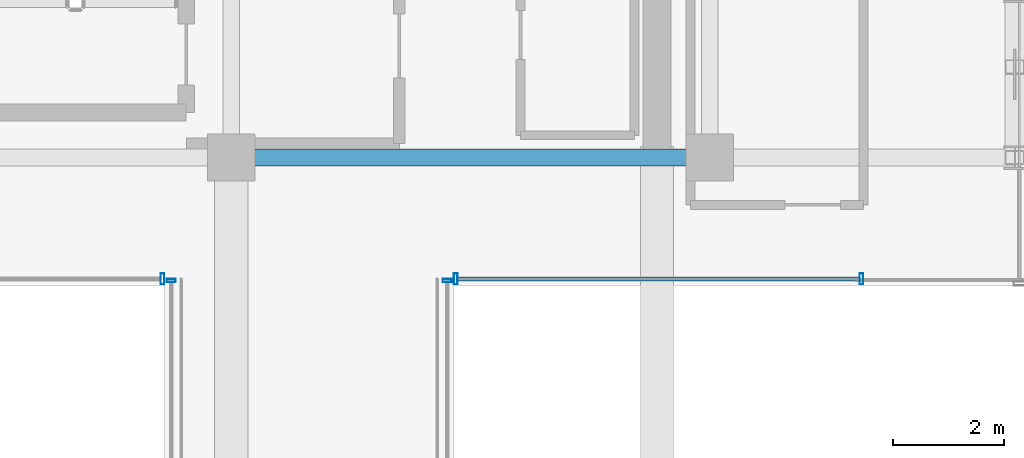
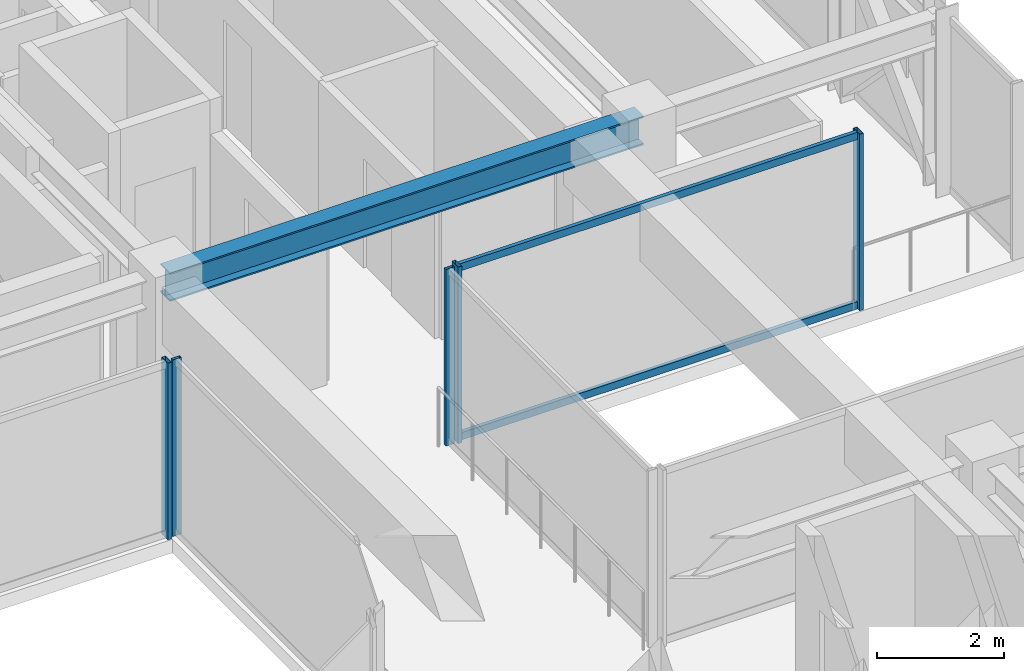
# One storey, part 18 of 37: 7 members, 1 beam, 4 elements without a shape of their own.
"""IFC4 building model written with IfcOpenShell, lengths in metres."""

from ifc_helpers import new_model, si_unit, direction, frame, origin, origin_2d, place, context, subcontext, project, spatial, hollow_rectangle, i_section, extrude, source, transform, mapped, material, material_profile, profile_set, type_object, element, aggregate, save


model = new_model("IFC4")

# Units and contexts
model_context = context("Model", 3, precision=1e-05, world=origin(), true_north=direction((0.0, 1.0)))
body_context = subcontext(model_context, "Body", "Model", "MODEL_VIEW")
ifc_project = project(units=[si_unit("LENGTHUNIT", "METRE"), si_unit("AREAUNIT", "SQUARE_METRE"), si_unit("VOLUMEUNIT", "CUBIC_METRE"), si_unit("PLANEANGLEUNIT", "RADIAN"), si_unit("MASSUNIT", "GRAM", prefix="KILO")], contexts=[model_context])

# Site, building, storey
site_placement = place(None, origin())
site = spatial("IfcSite", under=ifc_project, at=site_placement, CompositionType="ELEMENT")
building_placement = place(site_placement, origin())
building = spatial("IfcBuilding", under=site, at=building_placement, Name="Nahalor Promenade Grand Hotel", CompositionType="ELEMENT")
storey_placement = place(building_placement, frame((0.0, 0.0, 167.25)))
storey = spatial("IfcBuildingStorey", under=building, at=storey_placement, Name="L42", CompositionType="ELEMENT", Elevation=167.25)

# Beam
ifc_material_1 = material(Name="Steel S355JR", Category="steel")
ifc_material_profile_1 = material_profile(ifc_material_1, i_section(OverallWidth=0.3, OverallDepth=0.55, WebThickness=0.015, FlangeThickness=0.029, at=origin_2d()), Name="HEB 550")
ifc_profile_set_1 = profile_set([ifc_material_profile_1], Name="Steel S355JR")
beam_type = type_object("IfcBeamType", Name="Beam-Girder-HEB550", PredefinedType="BEAM", material=ifc_profile_set_1)
shared_shape_1 = source(origin(), body_context, "Body", "SweptSolid", [
    extrude(i_section(OverallWidth=0.3, OverallDepth=0.55, WebThickness=0.015, FlangeThickness=0.029, at=origin_2d()), origin(), (0.0, 0.0, 1.0), 8.60009765625),
])
beam_placement = place(storey_placement, frame((8.39990234375, 5.39990234375, 3.114990234375), z_axis=(1.0, 0.0, 0.0), x_axis=(0.0, 1.0, 0.0)))
element("IfcBeam", 1, at=beam_placement, inside=storey, type_object=beam_type, Name="BM-L42-GX-2-5", PredefinedType="BEAM", context=body_context, shape_type="MappedRepresentation", body=[
    mapped(shared_shape_1, transform((0.0, 0.0, 0.0), scale=1.0)),
])

# Curtain wall, members
ifc_material_2 = material(Name="Anodised Bronze Aluminium EN AW-6063 T6", Category="aluminium")
curtain_wall_type_1 = type_object("IfcCurtainWallType", Name="CW3 Elliptical-Void Collar Unitised Curtain Wall", PredefinedType="USERDEFINED", material=ifc_material_2)
curtain_wall_1_placement = place(storey_placement, origin())
curtain_wall_1 = element("IfcCurtainWall", 2, at=curtain_wall_1_placement, inside=storey, type_object=curtain_wall_type_1, Name="L42 Curtain Wall CW-L42-VOID-EN1", ObjectType="UNITISED_CURTAIN_WALL", PredefinedType="USERDEFINED")
ifc_material_profile_2 = material_profile(ifc_material_2, hollow_rectangle(XDim=0.07, YDim=0.14, WallThickness=0.004, at=origin_2d()), Name="CWT 70x140x4")
ifc_profile_set_2 = profile_set([ifc_material_profile_2], Name="Anodised Bronze Aluminium EN AW-6063 T6")
member_type_1 = type_object("IfcMemberType", Name="CWT3 Void Collar Transom 70x140", PredefinedType="USERDEFINED", material=ifc_profile_set_2)
shared_shape_2 = source(origin(), body_context, "Body", "SweptSolid", [
    extrude(hollow_rectangle(XDim=0.07, YDim=0.14, WallThickness=0.004, at=origin_2d()), origin(), (0.0, 0.0, 1.0), 7.219970703125),
])
member_1_placement = place(storey_placement, frame((12.469970703125, 3.219970703125, 0.070068359375), z_axis=(1.0, 0.0, 0.0), x_axis=(0.0, 1.0, 0.0)))
member_1 = element("IfcMember", 3, at=member_1_placement, type_object=member_type_1, Name="CW-L42-VOID-EN1 Transom 0-0", ObjectType="TRANSOM", PredefinedType="USERDEFINED", context=body_context, shape_type="MappedRepresentation", body=[
    mapped(shared_shape_2, transform((0.0, 0.0, 0.0), scale=1.0)),
])
member_2_placement = place(storey_placement, frame((12.469970703125, 3.219970703125, 3.320068359375), z_axis=(1.0, 0.0, 0.0), x_axis=(0.0, 1.0, 0.0)))
member_2 = element("IfcMember", 4, at=member_2_placement, type_object=member_type_1, Name="CW-L42-VOID-EN1 Transom 0-1", ObjectType="TRANSOM", PredefinedType="USERDEFINED", context=body_context, shape_type="MappedRepresentation", body=[
    mapped(shared_shape_2, transform((0.0, 0.0, 0.0), scale=1.0)),
])

# Curtain wall, member
curtain_wall_2_placement = place(storey_placement, origin())
curtain_wall_2 = element("IfcCurtainWall", 5, at=curtain_wall_2_placement, inside=storey, type_object=curtain_wall_type_1, Name="L42 Curtain Wall CW-L42-VOID-WN1", ObjectType="UNITISED_CURTAIN_WALL", PredefinedType="USERDEFINED")
ifc_material_profile_3 = material_profile(ifc_material_2, hollow_rectangle(XDim=0.07, YDim=0.2, WallThickness=0.005, at=origin_2d()), Name="CWM 70x200x5")
ifc_profile_set_3 = profile_set([ifc_material_profile_3], Name="Anodised Bronze Aluminium EN AW-6063 T6")
member_type_2 = type_object("IfcMemberType", Name="CWM3 Void Collar Mullion 70x200", PredefinedType="MULLION", material=ifc_profile_set_3)
shared_shape_3 = source(origin(), body_context, "Body", "SweptSolid", [
    extrude(hollow_rectangle(XDim=0.07, YDim=0.2, WallThickness=0.005, at=origin_2d()), origin(), (0.0, 0.0, 1.0), 3.389892578125),
])
member_3_placement = place(storey_placement, frame((7.1650390625, 3.219970703125, 0.0), z_axis=(0.0, 0.0, 1.0), x_axis=(1.0, 0.0, 0.0)))
member_3 = element("IfcMember", 6, at=member_3_placement, type_object=member_type_2, Name="CW-L42-VOID-WN1 Mullion 3", PredefinedType="MULLION", context=body_context, shape_type="MappedRepresentation", body=[
    mapped(shared_shape_3, transform((0.0, 0.0, 0.0), scale=1.0)),
])
aggregate(curtain_wall_2, [member_3])

# Member
member_4_placement = place(storey_placement, frame((12.43505859375, 3.219970703125, 0.0), z_axis=(0.0, 0.0, 1.0), x_axis=(1.0, 0.0, 0.0)))
member_4 = element("IfcMember", 7, at=member_4_placement, type_object=member_type_2, Name="CW-L42-VOID-EN1 Mullion 0", PredefinedType="MULLION", context=body_context, shape_type="MappedRepresentation", body=[
    mapped(shared_shape_3, transform((0.0, 0.0, 0.0), scale=1.0)),
])

member_5_placement = place(storey_placement, frame((19.72509765625, 3.219970703125, 0.0), z_axis=(0.0, 0.0, 1.0), x_axis=(1.0, 0.0, 0.0)))
member_5 = element("IfcMember", 8, at=member_5_placement, type_object=member_type_2, Name="CW-L42-VOID-EN1 Mullion 1", PredefinedType="MULLION", context=body_context, shape_type="MappedRepresentation", body=[
    mapped(shared_shape_3, transform((0.0, 0.0, 0.0), scale=1.0)),
])

aggregate(curtain_wall_1, [member_4, member_5, member_1, member_2])

# Curtain wall, member
curtain_wall_type_2 = type_object("IfcCurtainWallType", Name="CW4 Low-Iron Sky-Gallery Bridge Curtain Wall", PredefinedType="USERDEFINED", material=ifc_material_2)
curtain_wall_3_placement = place(storey_placement, origin())
curtain_wall_3 = element("IfcCurtainWall", 9, at=curtain_wall_3_placement, inside=storey, type_object=curtain_wall_type_2, Name="L42 Curtain Wall CW-L42-BRG-W", ObjectType="UNITISED_CURTAIN_WALL", PredefinedType="USERDEFINED")
ifc_material_profile_4 = material_profile(ifc_material_2, hollow_rectangle(XDim=0.06, YDim=0.16, WallThickness=0.004, at=origin_2d()), Name="CWM 60x160x4")
ifc_profile_set_4 = profile_set([ifc_material_profile_4], Name="Anodised Bronze Aluminium EN AW-6063 T6")
member_type_3 = type_object("IfcMemberType", Name="CWM4 Sky-Gallery Slim Mullion 60x160", PredefinedType="MULLION", material=ifc_profile_set_4)
shared_shape_4 = source(origin(), body_context, "Body", "SweptSolid", [
    extrude(hollow_rectangle(XDim=0.06, YDim=0.16, WallThickness=0.004, at=origin_2d()), origin(), (0.0, 0.0, 1.0), 3.389892578125),
])
member_6_placement = place(storey_placement, frame((7.320068359375, 3.18994140625, 0.0), z_axis=(0.0, 0.0, 1.0), x_axis=(0.0, 1.0, 0.0)))
member_6 = element("IfcMember", 10, at=member_6_placement, type_object=member_type_3, Name="CW-L42-BRG-W Mullion 1", PredefinedType="MULLION", context=body_context, shape_type="MappedRepresentation", body=[
    mapped(shared_shape_4, transform((0.0, 0.0, 0.0), scale=1.0)),
])
aggregate(curtain_wall_3, [member_6])

curtain_wall_4_placement = place(storey_placement, origin())
curtain_wall_4 = element("IfcCurtainWall", 11, at=curtain_wall_4_placement, inside=storey, type_object=curtain_wall_type_2, Name="L42 Curtain Wall CW-L42-BRG-E", ObjectType="UNITISED_CURTAIN_WALL", PredefinedType="USERDEFINED")
member_7_placement = place(storey_placement, frame((12.280029296875, 3.18994140625, 0.0), z_axis=(0.0, 0.0, 1.0), x_axis=(0.0, 1.0, 0.0)))
member_7 = element("IfcMember", 12, at=member_7_placement, type_object=member_type_3, Name="CW-L42-BRG-E Mullion 1", PredefinedType="MULLION", context=body_context, shape_type="MappedRepresentation", body=[
    mapped(shared_shape_4, transform((0.0, 0.0, 0.0), scale=1.0)),
])
aggregate(curtain_wall_4, [member_7])

save(model, "model.ifc")
